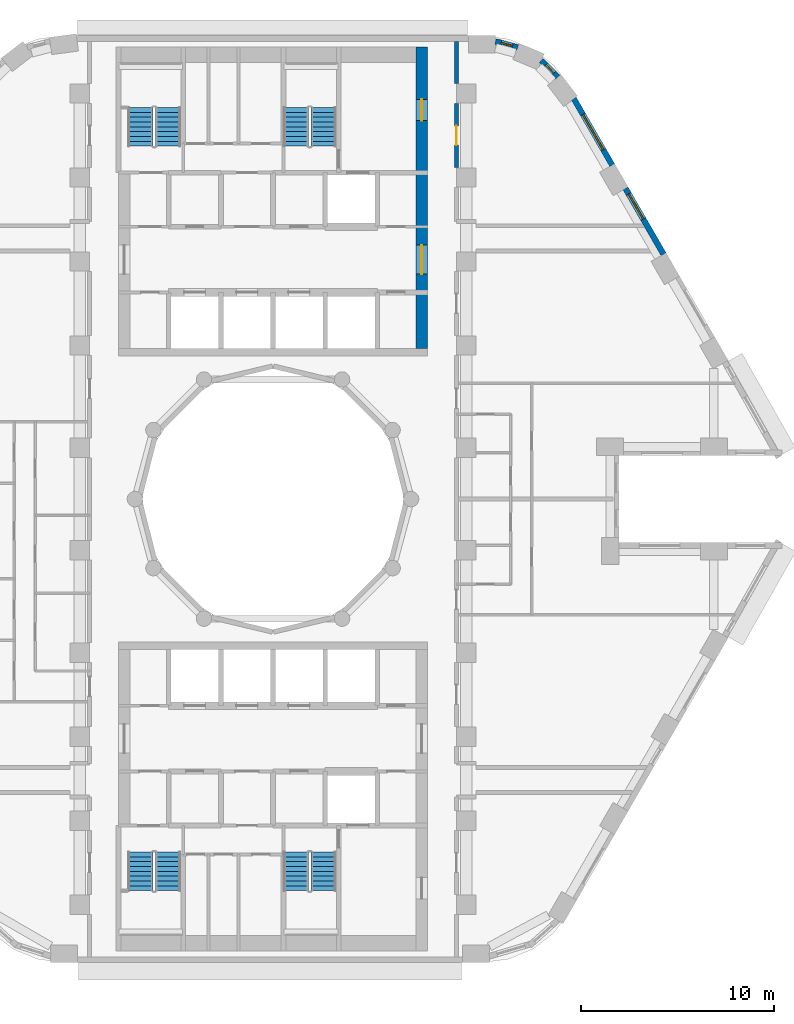
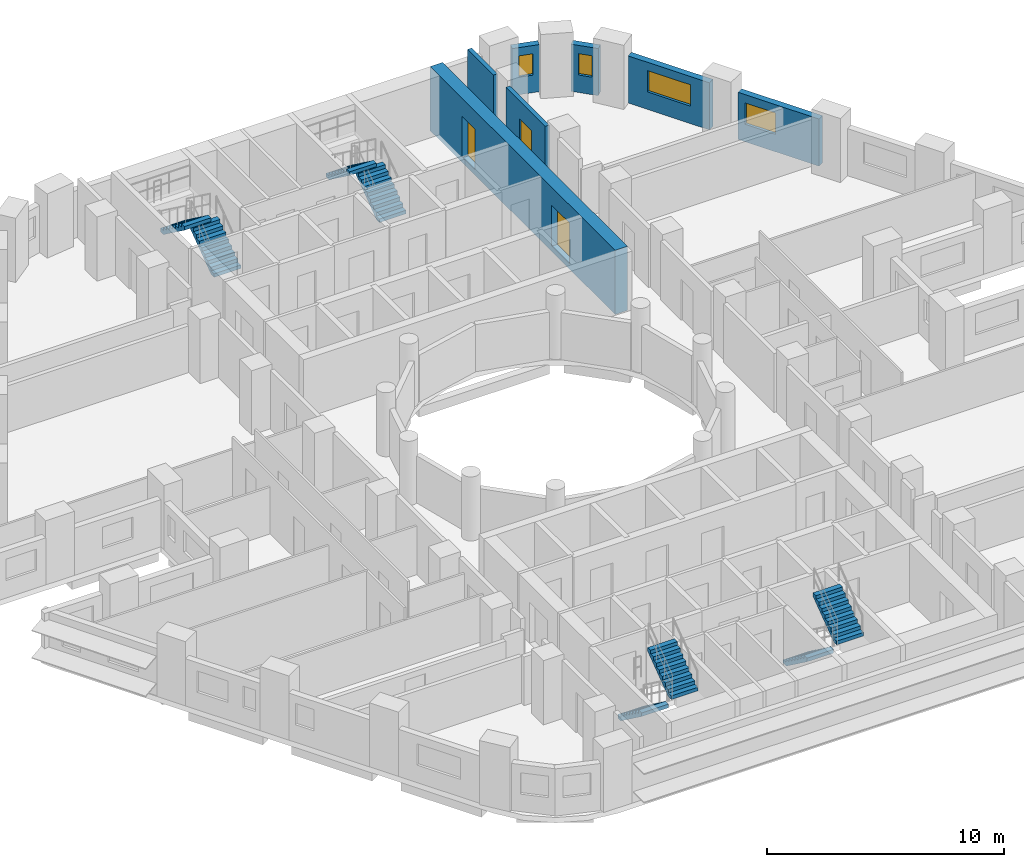
# One storey, part 9 of 12: 8 stair flights, 7 walls, 4 windows, 3 doors, 7 openings, 4 elements without a shape of their own.
"""IFC4 building model written with IfcOpenShell, lengths in metres."""

from ifc_helpers import new_model, si_unit, direction, frame, frame_2d, origin, place, context, subcontext, project, spatial, polyline, rectangle, outline, extrude, material, layer, layer_set, type_object, element, fill, aggregate, save


model = new_model("IFC4")

# Units and contexts
model_context = context("Model", 3, precision=1e-05, world=origin(), true_north=direction((0.0, 1.0)))
body_context = subcontext(model_context, "Body", "Model", "MODEL_VIEW")
ifc_project = project(units=[si_unit("LENGTHUNIT", "METRE"), si_unit("AREAUNIT", "SQUARE_METRE"), si_unit("VOLUMEUNIT", "CUBIC_METRE"), si_unit("PLANEANGLEUNIT", "RADIAN"), si_unit("MASSUNIT", "GRAM", prefix="KILO")], contexts=[model_context])

# Site, building, storey
site_placement = place(None, origin())
site = spatial("IfcSite", under=ifc_project, at=site_placement, CompositionType="ELEMENT")
building_placement = place(site_placement, origin())
building = spatial("IfcBuilding", under=site, at=building_placement, Name="Nakaniwa Court", CompositionType="ELEMENT")
storey_placement = place(building_placement, frame((0.0, 0.0, 90.89990234375)))
storey = spatial("IfcBuildingStorey", under=building, at=storey_placement, Name="L23", CompositionType="ELEMENT", Elevation=90.89990234375)

# Wall, opening, door
ifc_material_1 = material(Name="Acoustic double stud partition")
ifc_layer_1 = layer(ifc_material_1, 0.199951171875)
ifc_layer_set_1 = layer_set([ifc_layer_1], Name="Acoustic double stud partition")
wall_type_1 = type_object("IfcWallType", Name="Acoustic double stud partition 200", PredefinedType="PARTITIONING", material=ifc_layer_set_1)
wall_1_placement = place(storey_placement, frame((89.5, 100.48291015625, 0.0), z_axis=(0.0, 0.0, 1.0), x_axis=(0.0, -1.0, 0.0)))
wall_1 = element("IfcWall", 1, at=wall_1_placement, inside=storey, type_object=wall_type_1, Name="Partition PW-079", PredefinedType="PARTITIONING", context=body_context, shape_type="SweptSolid", body=[
    extrude(rectangle(XDim=3.31591796875, YDim=0.199951171875, at=frame_2d((1.657958984375, 0.0))), origin(), (0.0, 0.0, 1.0), 3.025146484375),
])
opening_1_placement = place(wall_1_placement, frame((1.157958984375, 0.0, 0.0)))
opening_1 = element("IfcOpeningElement", 2, at=opening_1_placement, cuts=wall_1, Name="Opening D-02-07", PredefinedType="OPENING", context=body_context, shape_type="SweptSolid", body=[
    extrude(rectangle(XDim=1.0, YDim=2.10009765625, at=frame_2d((0.5, 1.050048828125))), frame((0.0, 0.10986328125, 0.0), z_axis=(0.0, -1.0, 0.0), x_axis=(1.0, 0.0, 0.0)), (0.0, 0.0, 1.0), 0.219970703125),
])
ifc_material_2 = material(Name="Solid core timber door set, black veneer", Category="wood")
door_type_1 = type_object("IfcDoorType", Name="Internal door 1000", OperationType="NOTDEFINED", PredefinedType="DOOR", material=ifc_material_2)
door_1_placement = place(opening_1_placement, origin())
door_1 = element("IfcDoor", 3, at=door_1_placement, inside=storey, type_object=door_type_1, Name="Door D-02-07 L23-049", OperationType="SINGLE_SWING_RIGHT", OverallHeight=2.10009765625, OverallWidth=1.0, PredefinedType="DOOR", context=body_context, shape_type="SweptSolid", body=[
    extrude(rectangle(XDim=1.0, YDim=2.10009765625, at=frame_2d((0.5, 1.050048828125))), frame((0.0, 0.02490234375, 0.0), z_axis=(0.0, -1.0, 0.0), x_axis=(1.0, 0.0, 0.0)), (0.0, 0.0, 1.0), 0.050048828125),
])
fill(opening_1, door_1)

# Wall
wall_2_placement = place(storey_placement, frame((89.5, 101.51708984375, 0.0), z_axis=(0.0, 0.0, 1.0), x_axis=(0.0, 1.0, 0.0)))
element("IfcWall", 4, at=wall_2_placement, inside=storey, type_object=wall_type_1, Name="Partition PW-080", PredefinedType="PARTITIONING", context=body_context, shape_type="SweptSolid", body=[
    extrude(rectangle(XDim=2.182861328125, YDim=0.199951171875, at=frame_2d((1.09130859375, 0.0))), origin(), (0.0, 0.0, 1.0), 3.025146484375),
])

# Wall, opening, window
ifc_material_3 = material(Name="Charcoal ceramic cladding")
ifc_layer_2 = layer(ifc_material_3, 0.02, Name="Ceramic cladding")
ifc_material_4 = material(Name="Ventilated air cavity")
ifc_layer_3 = layer(ifc_material_4, 0.04, ventilated=True, Name="Ventilated cavity")
ifc_material_5 = material(Name="Mineral wool insulation")
ifc_layer_4 = layer(ifc_material_5, 0.1, Name="Insulation")
ifc_material_6 = material(Name="Cement bonded sheathing board")
ifc_layer_5 = layer(ifc_material_6, 0.012, Name="Sheathing")
ifc_material_7 = material(Name="Cold-formed galvanised stud frame with mineral wool infill")
ifc_layer_6 = layer(ifc_material_7, 0.1, Name="Stud frame")
ifc_material_8 = material(Name="Fire-rated gypsum plasterboard lining")
ifc_layer_7 = layer(ifc_material_8, 0.028, Name="Lining")
ifc_layer_set_2 = layer_set([ifc_layer_2, ifc_layer_3, ifc_layer_4, ifc_layer_5, ifc_layer_6, ifc_layer_7], Name="Charcoal ceramic faced external wall system")
wall_type_2 = type_object("IfcWallType", Name="Black ceramic faced external wall 300", PredefinedType="SOLIDWALL", material=ifc_layer_set_2)
wall_3_placement = place(storey_placement, frame((100.22021484375, 92.677490234375, 0.0), z_axis=(0.0, 0.0, 1.0), x_axis=(-0.499957037901, 0.866050206543, 0.0)))
wall_3 = element("IfcWall", 5, at=wall_3_placement, inside=storey, type_object=wall_type_2, Name="L23 external wall 04", PredefinedType="SOLIDWALL", context=body_context, shape_type="SweptSolid", body=[
    extrude(rectangle(XDim=3.933837890625, YDim=0.300048828125, at=frame_2d((1.966796875, 0.0))), origin(), (0.0, 0.0, 1.0), 2.425048828125),
])
opening_2_placement = place(wall_3_placement, frame((2.104248046875, 0.0, 0.89990234375)))
opening_2 = element("IfcOpeningElement", 6, at=opening_2_placement, cuts=wall_3, Name="Opening W5.06", PredefinedType="OPENING", context=body_context, shape_type="SweptSolid", body=[
    extrude(rectangle(XDim=1.5, YDim=1.10009765625, at=frame_2d((0.75, 0.550048828125))), frame((0.0, 0.159912109375, 0.0), z_axis=(0.0, -1.0, 0.0), x_axis=(1.0, 0.0, 0.0)), (0.0, 0.0, 1.0), 0.320068359375),
])
ifc_material_9 = material(Name="Black anodised aluminium frame with dark low-E laminated double glazing", Category="aluminium")
window_type_1 = type_object("IfcWindowType", Name="Dark glass window 1500x1100 sill 900", PartitioningType="SINGLE_PANEL", PredefinedType="WINDOW", material=ifc_material_9)
window_1_placement = place(opening_2_placement, origin())
window_1 = element("IfcWindow", 7, at=window_1_placement, inside=storey, type_object=window_type_1, Name="L23 habitable room window 04-2", OverallHeight=1.10009765625, OverallWidth=1.5, PartitioningType="SINGLE_PANEL", PredefinedType="WINDOW", context=body_context, shape_type="SweptSolid", body=[
    extrude(rectangle(XDim=1.5, YDim=1.10009765625, at=frame_2d((0.75, 0.550048828125))), frame((0.0, 0.030029296875, 0.0), z_axis=(0.0, -1.0, 0.0), x_axis=(1.0, 0.0, 0.0)), (0.0, 0.0, 1.0), 0.06005859375),
])
fill(opening_2, window_1)

wall_4_placement = place(storey_placement, frame((97.557373046875, 97.289794921875, 0.0), z_axis=(0.0, 0.0, 1.0), x_axis=(-0.500043828347, 0.866000097998, 0.0)))
wall_4 = element("IfcWall", 8, at=wall_4_placement, inside=storey, type_object=wall_type_2, Name="L23 external wall 05", PredefinedType="SOLIDWALL", context=body_context, shape_type="SweptSolid", body=[
    extrude(rectangle(XDim=3.967529296875, YDim=0.300048828125, at=frame_2d((1.98388671875, 0.0))), origin(), (0.0, 0.0, 1.0), 2.425048828125),
])
opening_3_placement = place(wall_4_placement, frame((0.92236328125, 0.0, 0.89990234375)))
opening_3 = element("IfcOpeningElement", 9, at=opening_3_placement, cuts=wall_4, Name="Opening W7.07", PredefinedType="OPENING", context=body_context, shape_type="SweptSolid", body=[
    extrude(rectangle(XDim=2.10009765625, YDim=1.10009765625, at=frame_2d((1.050048828125, 0.550048828125))), frame((0.0, 0.159912109375, 0.0), z_axis=(0.0, -1.0, 0.0), x_axis=(1.0, 0.0, 0.0)), (0.0, 0.0, 1.0), 0.320068359375),
])
window_type_2 = type_object("IfcWindowType", Name="Dark glass window 2100x1100 sill 900", PartitioningType="SINGLE_PANEL", PredefinedType="WINDOW", material=ifc_material_9)
window_2_placement = place(opening_3_placement, origin())
window_2 = element("IfcWindow", 10, at=window_2_placement, inside=storey, type_object=window_type_2, Name="L23 habitable room window 05-0", OverallHeight=1.10009765625, OverallWidth=2.10009765625, PartitioningType="SINGLE_PANEL", PredefinedType="WINDOW", context=body_context, shape_type="SweptSolid", body=[
    extrude(rectangle(XDim=2.10009765625, YDim=1.10009765625, at=frame_2d((1.050048828125, 0.550048828125))), frame((0.0, 0.030029296875, 0.0), z_axis=(0.0, -1.0, 0.0), x_axis=(1.0, 0.0, 0.0)), (0.0, 0.0, 1.0), 0.06005859375),
])
fill(opening_3, window_2)

wall_5_placement = place(storey_placement, frame((94.738037109375, 101.839111328125, 0.0), z_axis=(0.0, 0.0, 1.0), x_axis=(-0.697032216592, 0.717039809936, 0.0)))
wall_5 = element("IfcWall", 11, at=wall_5_placement, inside=storey, type_object=wall_type_2, Name="L23 external wall 06", PredefinedType="SOLIDWALL", context=body_context, shape_type="SweptSolid", body=[
    extrude(rectangle(XDim=1.2080078125, YDim=0.300048828125, at=frame_2d((0.60400390625, 0.0))), origin(), (0.0, 0.0, 1.0), 2.425048828125),
])
opening_4_placement = place(wall_5_placement, frame((0.279296875, 0.0, 0.89990234375)))
opening_4 = element("IfcOpeningElement", 12, at=opening_4_placement, cuts=wall_5, Name="Opening W8.08", PredefinedType="OPENING", context=body_context, shape_type="SweptSolid", body=[
    extrude(rectangle(XDim=0.60009765625, YDim=1.10009765625, at=frame_2d((0.300048828125, 0.550048828125))), frame((0.0, 0.159912109375, 0.0), z_axis=(0.0, -1.0, 0.0), x_axis=(1.0, 0.0, 0.0)), (0.0, 0.0, 1.0), 0.320068359375),
])
window_type_3 = type_object("IfcWindowType", Name="Dark glass window 600x1100 sill 900", PartitioningType="SINGLE_PANEL", PredefinedType="WINDOW", material=ifc_material_9)
window_3_placement = place(opening_4_placement, origin())
window_3 = element("IfcWindow", 13, at=window_3_placement, inside=storey, type_object=window_type_3, Name="L23 habitable room window 06-0", OverallHeight=1.10009765625, OverallWidth=0.60009765625, PartitioningType="SINGLE_PANEL", PredefinedType="WINDOW", context=body_context, shape_type="SweptSolid", body=[
    extrude(rectangle(XDim=0.60009765625, YDim=1.10009765625, at=frame_2d((0.300048828125, 0.550048828125))), frame((0.0, 0.030029296875, 0.0), z_axis=(0.0, -1.0, 0.0), x_axis=(1.0, 0.0, 0.0)), (0.0, 0.0, 1.0), 0.06005859375),
])
fill(opening_4, window_3)

wall_6_placement = place(storey_placement, frame((92.669189453125, 103.3818359375, 0.0), z_axis=(0.0, 0.0, 1.0), x_axis=(-0.965278131029, 0.261224290136, 0.0)))
wall_6 = element("IfcWall", 14, at=wall_6_placement, inside=storey, type_object=wall_type_2, Name="L23 external wall 07", PredefinedType="SOLIDWALL", context=body_context, shape_type="SweptSolid", body=[
    extrude(rectangle(XDim=1.189697265625, YDim=0.300048828125, at=frame_2d((0.5947265625, 0.0))), origin(), (0.0, 0.0, 1.0), 2.425048828125),
])
opening_5_placement = place(wall_6_placement, frame((0.28466796875, 0.0, 0.89990234375)))
opening_5 = element("IfcOpeningElement", 15, at=opening_5_placement, cuts=wall_6, Name="Opening W8.09", PredefinedType="OPENING", context=body_context, shape_type="SweptSolid", body=[
    extrude(rectangle(XDim=0.60009765625, YDim=1.10009765625, at=frame_2d((0.300048828125, 0.550048828125))), frame((0.0, 0.159912109375, 0.0), z_axis=(0.0, -1.0, 0.0), x_axis=(1.0, 0.0, 0.0)), (0.0, 0.0, 1.0), 0.320068359375),
])
window_4_placement = place(opening_5_placement, origin())
window_4 = element("IfcWindow", 16, at=window_4_placement, inside=storey, type_object=window_type_3, Name="L23 habitable room window 07-0", OverallHeight=1.10009765625, OverallWidth=0.60009765625, PartitioningType="SINGLE_PANEL", PredefinedType="WINDOW", context=body_context, shape_type="SweptSolid", body=[
    extrude(rectangle(XDim=0.60009765625, YDim=1.10009765625, at=frame_2d((0.300048828125, 0.550048828125))), frame((0.0, 0.030029296875, 0.0), z_axis=(0.0, -1.0, 0.0), x_axis=(1.0, 0.0, 0.0)), (0.0, 0.0, 1.0), 0.06005859375),
])
fill(opening_5, window_4)

# Wall, openings, doors
ifc_material_10 = material(Name="Concrete C80/100", Category="concrete")
ifc_layer_8 = layer(ifc_material_10, 0.60009765625)
ifc_layer_set_3 = layer_set([ifc_layer_8], Name="Concrete C80/100")
wall_type_3 = type_object("IfcWallType", Name="Concrete core side wall 600 C80", PredefinedType="SHEAR", material=ifc_layer_set_3)
wall_7_placement = place(storey_placement, frame((87.699951171875, 103.39990234375, -0.27490234375), z_axis=(0.0, 0.0, 1.0), x_axis=(0.0, -1.0, 0.0)))
wall_7 = element("IfcWall", 17, at=wall_7_placement, inside=storey, type_object=wall_type_3, Name="Core wall SW-15", PredefinedType="SHEAR", context=body_context, shape_type="SweptSolid", body=[
    extrude(rectangle(XDim=15.599853515625, YDim=0.60009765625, at=frame_2d((7.7998046875, 0.0))), origin(), (0.0, 0.0, 1.0), 3.300048828125),
])
opening_6_placement = place(wall_7_placement, frame((10.25, 0.0, 0.27490234375)))
opening_6 = element("IfcOpeningElement", 18, at=opening_6_placement, cuts=wall_7, Name="Opening D-07-01", PredefinedType="OPENING", context=body_context, shape_type="SweptSolid", body=[
    extrude(rectangle(XDim=1.5, YDim=2.10009765625, at=frame_2d((0.75, 1.050048828125))), frame((0.0, 0.31005859375, 0.0), z_axis=(0.0, -1.0, 0.0), x_axis=(1.0, 0.0, 0.0)), (0.0, 0.0, 1.0), 0.6201171875),
])
opening_7_placement = place(wall_7_placement, frame((2.699951171875, 0.0, 0.27490234375)))
opening_7 = element("IfcOpeningElement", 19, at=opening_7_placement, cuts=wall_7, Name="Opening D-10-01", PredefinedType="OPENING", context=body_context, shape_type="SweptSolid", body=[
    extrude(rectangle(XDim=1.10009765625, YDim=2.10009765625, at=frame_2d((0.550048828125, 1.050048828125))), frame((0.0, 0.31005859375, 0.0), z_axis=(0.0, -1.0, 0.0), x_axis=(1.0, 0.0, 0.0)), (0.0, 0.0, 1.0), 0.6201171875),
])
ifc_material_11 = material(Name="Fire rated steel door set", Category="steel")
door_type_2 = type_object("IfcDoorType", Name="Firefighting lobby door 1100", OperationType="NOTDEFINED", PredefinedType="DOOR", material=ifc_material_11)
door_2_placement = place(opening_7_placement, origin())
door_2 = element("IfcDoor", 20, at=door_2_placement, inside=storey, type_object=door_type_2, Name="Door D-10-01 L23-053", OperationType="SINGLE_SWING_RIGHT", OverallHeight=2.10009765625, OverallWidth=1.10009765625, PredefinedType="DOOR", context=body_context, shape_type="SweptSolid", body=[
    extrude(rectangle(XDim=1.10009765625, YDim=2.10009765625, at=frame_2d((0.550048828125, 1.050048828125))), frame((0.0, 0.02490234375, 0.0), z_axis=(0.0, -1.0, 0.0), x_axis=(1.0, 0.0, 0.0)), (0.0, 0.0, 1.0), 0.050048828125),
])
fill(opening_7, door_2)
ifc_material_12 = material(Name="Glazed fire rated steel double door set", Category="steel")
door_type_3 = type_object("IfcDoorType", Name="Lobby double door 1500", OperationType="NOTDEFINED", PredefinedType="DOOR", material=ifc_material_12)
door_3_placement = place(opening_6_placement, origin())
door_3 = element("IfcDoor", 21, at=door_3_placement, inside=storey, type_object=door_type_3, Name="Door D-07-01 L23-051", OperationType="DOUBLE_DOOR_SINGLE_SWING", OverallHeight=2.10009765625, OverallWidth=1.5, PredefinedType="DOOR", context=body_context, shape_type="SweptSolid", body=[
    extrude(rectangle(XDim=1.5, YDim=2.10009765625, at=frame_2d((0.75, 1.050048828125))), frame((0.0, 0.02490234375, 0.0), z_axis=(0.0, -1.0, 0.0), x_axis=(1.0, 0.0, 0.0)), (0.0, 0.0, 1.0), 0.050048828125),
])
fill(opening_6, door_3)

# Stair, stair flights
stair_type = type_object("IfcStairType", Name="Dog leg stair 1300 wide 18 risers", PredefinedType="HALF_TURN_STAIR", material=ifc_material_10)
stair_1_placement = place(storey_placement, origin())
stair_1 = element("IfcStair", 22, at=stair_1_placement, inside=storey, type_object=stair_type, Name="L23 Stair ST1", PredefinedType="HALF_TURN_STAIR")
stair_flight_type = type_object("IfcStairFlightType", Name="Stair flight 1300 wide 9 risers", PredefinedType="STRAIGHT", material=ifc_material_10)
stair_flight_1_placement = place(storey_placement, frame((74.574951171875, 98.27490234375, 0.0), z_axis=(0.0, 0.0, 1.0), x_axis=(0.0, 1.0, 0.0)))
stair_flight_1 = element("IfcStairFlight", 23, at=stair_flight_1_placement, type_object=stair_flight_type, Name="ST1 flight 1", NumberOfRisers=9, NumberOfTreads=8, PredefinedType="STRAIGHT", RiserHeight=0.183333333, TreadLength=0.25, context=body_context, shape_type="SweptSolid", body=[
    extrude(outline(polyline([(0.0, 0.0), (0.0, 0.026123046875), (0.0, 0.052490234375), (0.0, 0.07861328125), (0.0, 0.104736328125), (0.0, 0.130859375), (0.0, 0.1572265625), (0.0, 0.183349609375), (0.25, 0.183349609375), (0.25, 0.36669921875), (0.5, 0.36669921875), (0.5, 0.550048828125), (0.75, 0.550048828125), (0.75, 0.7333984375), (1.0, 0.7333984375), (1.0, 0.916748046875), (1.25, 0.916748046875), (1.25, 1.10009765625), (1.5, 1.10009765625), (1.5, 1.283447265625), (1.75, 1.283447265625), (1.75, 1.466552734375), (2.0, 1.466552734375), (2.0, 1.64990234375), (2.0, 1.59716796875), (2.0, 1.54443359375), (2.0, 1.49169921875), (2.0, 1.43896484375), (2.0, 1.38623046875), (2.0, 1.33349609375), (2.0, 1.28076171875), (0.25341796875, 0.0), (0.0, 0.0)])), frame((0.0, 0.64990234375, 0.0), z_axis=(0.0, -1.0, 0.0), x_axis=(1.0, 0.0, 0.0)), (0.0, 0.0, 1.0), 1.300048828125),
])
stair_flight_2_placement = place(storey_placement, frame((73.125, 100.27490234375, 1.650146484375), z_axis=(0.0, 0.0, 1.0), x_axis=(0.0, -1.0, 0.0)))
stair_flight_2 = element("IfcStairFlight", 24, at=stair_flight_2_placement, type_object=stair_flight_type, Name="ST1 flight 2", NumberOfRisers=9, NumberOfTreads=8, PredefinedType="STRAIGHT", RiserHeight=0.183333333, TreadLength=0.25, context=body_context, shape_type="SweptSolid", body=[
    extrude(outline(polyline([(0.0, 0.0), (0.0, 0.026123046875), (0.0, 0.052490234375), (0.0, 0.07861328125), (0.0, 0.104736328125), (0.0, 0.130859375), (0.0, 0.1572265625), (0.0, 0.183349609375), (0.25, 0.183349609375), (0.25, 0.36669921875), (0.5, 0.36669921875), (0.5, 0.550048828125), (0.75, 0.550048828125), (0.75, 0.7333984375), (1.0, 0.7333984375), (1.0, 0.916748046875), (1.25, 0.916748046875), (1.25, 1.10009765625), (1.5, 1.10009765625), (1.5, 1.283447265625), (1.75, 1.283447265625), (1.75, 1.466552734375), (2.0, 1.466552734375), (2.0, 1.64990234375), (2.0, 1.59716796875), (2.0, 1.54443359375), (2.0, 1.49169921875), (2.0, 1.43896484375), (2.0, 1.38623046875), (2.0, 1.33349609375), (2.0, 1.28076171875), (0.25341796875, 0.0), (0.0, 0.0)])), frame((0.0, 0.64990234375, 0.0), z_axis=(0.0, -1.0, 0.0), x_axis=(1.0, 0.0, 0.0)), (0.0, 0.0, 1.0), 1.300048828125),
])
aggregate(stair_1, [stair_flight_1, stair_flight_2])

stair_2_placement = place(storey_placement, origin())
stair_2 = element("IfcStair", 25, at=stair_2_placement, inside=storey, type_object=stair_type, Name="L23 Stair ST2", PredefinedType="HALF_TURN_STAIR")
stair_flight_3_placement = place(storey_placement, frame((82.625, 98.27490234375, 0.0), z_axis=(0.0, 0.0, 1.0), x_axis=(0.0, 1.0, 0.0)))
stair_flight_3 = element("IfcStairFlight", 26, at=stair_flight_3_placement, type_object=stair_flight_type, Name="ST2 flight 1", NumberOfRisers=9, NumberOfTreads=8, PredefinedType="STRAIGHT", RiserHeight=0.183333333, TreadLength=0.25, context=body_context, shape_type="SweptSolid", body=[
    extrude(outline(polyline([(0.0, 0.0), (0.0, 0.026123046875), (0.0, 0.052490234375), (0.0, 0.07861328125), (0.0, 0.104736328125), (0.0, 0.130859375), (0.0, 0.1572265625), (0.0, 0.183349609375), (0.25, 0.183349609375), (0.25, 0.36669921875), (0.5, 0.36669921875), (0.5, 0.550048828125), (0.75, 0.550048828125), (0.75, 0.7333984375), (1.0, 0.7333984375), (1.0, 0.916748046875), (1.25, 0.916748046875), (1.25, 1.10009765625), (1.5, 1.10009765625), (1.5, 1.283447265625), (1.75, 1.283447265625), (1.75, 1.466552734375), (2.0, 1.466552734375), (2.0, 1.64990234375), (2.0, 1.59716796875), (2.0, 1.54443359375), (2.0, 1.49169921875), (2.0, 1.43896484375), (2.0, 1.38623046875), (2.0, 1.33349609375), (2.0, 1.28076171875), (0.25341796875, 0.0), (0.0, 0.0)])), frame((0.0, 0.64990234375, 0.0), z_axis=(0.0, -1.0, 0.0), x_axis=(1.0, 0.0, 0.0)), (0.0, 0.0, 1.0), 1.300048828125),
])
stair_flight_4_placement = place(storey_placement, frame((81.175048828125, 100.27490234375, 1.650146484375), z_axis=(0.0, 0.0, 1.0), x_axis=(0.0, -1.0, 0.0)))
stair_flight_4 = element("IfcStairFlight", 27, at=stair_flight_4_placement, type_object=stair_flight_type, Name="ST2 flight 2", NumberOfRisers=9, NumberOfTreads=8, PredefinedType="STRAIGHT", RiserHeight=0.183333333, TreadLength=0.25, context=body_context, shape_type="SweptSolid", body=[
    extrude(outline(polyline([(0.0, 0.0), (0.0, 0.026123046875), (0.0, 0.052490234375), (0.0, 0.07861328125), (0.0, 0.104736328125), (0.0, 0.130859375), (0.0, 0.1572265625), (0.0, 0.183349609375), (0.25, 0.183349609375), (0.25, 0.36669921875), (0.5, 0.36669921875), (0.5, 0.550048828125), (0.75, 0.550048828125), (0.75, 0.7333984375), (1.0, 0.7333984375), (1.0, 0.916748046875), (1.25, 0.916748046875), (1.25, 1.10009765625), (1.5, 1.10009765625), (1.5, 1.283447265625), (1.75, 1.283447265625), (1.75, 1.466552734375), (2.0, 1.466552734375), (2.0, 1.64990234375), (2.0, 1.59716796875), (2.0, 1.54443359375), (2.0, 1.49169921875), (2.0, 1.43896484375), (2.0, 1.38623046875), (2.0, 1.33349609375), (2.0, 1.28076171875), (0.25341796875, 0.0), (0.0, 0.0)])), frame((0.0, 0.64990234375, 0.0), z_axis=(0.0, -1.0, 0.0), x_axis=(1.0, 0.0, 0.0)), (0.0, 0.0, 1.0), 1.300048828125),
])
aggregate(stair_2, [stair_flight_3, stair_flight_4])

stair_3_placement = place(storey_placement, origin())
stair_3 = element("IfcStair", 28, at=stair_3_placement, inside=storey, type_object=stair_type, Name="L23 Stair ST3", PredefinedType="HALF_TURN_STAIR")
stair_flight_5_placement = place(storey_placement, frame((73.125, 61.72509765625, 0.0), z_axis=(0.0, 0.0, 1.0), x_axis=(0.0, -1.0, 0.0)))
stair_flight_5 = element("IfcStairFlight", 29, at=stair_flight_5_placement, type_object=stair_flight_type, Name="ST3 flight 1", NumberOfRisers=9, NumberOfTreads=8, PredefinedType="STRAIGHT", RiserHeight=0.183333333, TreadLength=0.25, context=body_context, shape_type="SweptSolid", body=[
    extrude(outline(polyline([(0.0, 0.0), (0.0, 0.026123046875), (0.0, 0.052490234375), (0.0, 0.07861328125), (0.0, 0.104736328125), (0.0, 0.130859375), (0.0, 0.1572265625), (0.0, 0.183349609375), (0.25, 0.183349609375), (0.25, 0.36669921875), (0.5, 0.36669921875), (0.5, 0.550048828125), (0.75, 0.550048828125), (0.75, 0.7333984375), (1.0, 0.7333984375), (1.0, 0.916748046875), (1.25, 0.916748046875), (1.25, 1.10009765625), (1.5, 1.10009765625), (1.5, 1.283447265625), (1.75, 1.283447265625), (1.75, 1.466552734375), (2.0, 1.466552734375), (2.0, 1.64990234375), (2.0, 1.59716796875), (2.0, 1.54443359375), (2.0, 1.49169921875), (2.0, 1.43896484375), (2.0, 1.38623046875), (2.0, 1.33349609375), (2.0, 1.28076171875), (0.25341796875, 0.0), (0.0, 0.0)])), frame((0.0, 0.64990234375, 0.0), z_axis=(0.0, -1.0, 0.0), x_axis=(1.0, 0.0, 0.0)), (0.0, 0.0, 1.0), 1.300048828125),
])
stair_flight_6_placement = place(storey_placement, frame((74.574951171875, 59.72509765625, 1.650146484375), z_axis=(0.0, 0.0, 1.0), x_axis=(0.0, 1.0, 0.0)))
stair_flight_6 = element("IfcStairFlight", 30, at=stair_flight_6_placement, type_object=stair_flight_type, Name="ST3 flight 2", NumberOfRisers=9, NumberOfTreads=8, PredefinedType="STRAIGHT", RiserHeight=0.183333333, TreadLength=0.25, context=body_context, shape_type="SweptSolid", body=[
    extrude(outline(polyline([(0.0, 0.0), (0.0, 0.026123046875), (0.0, 0.052490234375), (0.0, 0.07861328125), (0.0, 0.104736328125), (0.0, 0.130859375), (0.0, 0.1572265625), (0.0, 0.183349609375), (0.25, 0.183349609375), (0.25, 0.36669921875), (0.5, 0.36669921875), (0.5, 0.550048828125), (0.75, 0.550048828125), (0.75, 0.7333984375), (1.0, 0.7333984375), (1.0, 0.916748046875), (1.25, 0.916748046875), (1.25, 1.10009765625), (1.5, 1.10009765625), (1.5, 1.283447265625), (1.75, 1.283447265625), (1.75, 1.466552734375), (2.0, 1.466552734375), (2.0, 1.64990234375), (2.0, 1.59716796875), (2.0, 1.54443359375), (2.0, 1.49169921875), (2.0, 1.43896484375), (2.0, 1.38623046875), (2.0, 1.33349609375), (2.0, 1.28076171875), (0.25341796875, 0.0), (0.0, 0.0)])), frame((0.0, 0.64990234375, 0.0), z_axis=(0.0, -1.0, 0.0), x_axis=(1.0, 0.0, 0.0)), (0.0, 0.0, 1.0), 1.300048828125),
])
aggregate(stair_3, [stair_flight_5, stair_flight_6])

stair_4_placement = place(storey_placement, origin())
stair_4 = element("IfcStair", 31, at=stair_4_placement, inside=storey, type_object=stair_type, Name="L23 Stair ST4", PredefinedType="HALF_TURN_STAIR")
stair_flight_7_placement = place(storey_placement, frame((81.175048828125, 61.72509765625, 0.0), z_axis=(0.0, 0.0, 1.0), x_axis=(0.0, -1.0, 0.0)))
stair_flight_7 = element("IfcStairFlight", 32, at=stair_flight_7_placement, type_object=stair_flight_type, Name="ST4 flight 1", NumberOfRisers=9, NumberOfTreads=8, PredefinedType="STRAIGHT", RiserHeight=0.183333333, TreadLength=0.25, context=body_context, shape_type="SweptSolid", body=[
    extrude(outline(polyline([(0.0, 0.0), (0.0, 0.026123046875), (0.0, 0.052490234375), (0.0, 0.07861328125), (0.0, 0.104736328125), (0.0, 0.130859375), (0.0, 0.1572265625), (0.0, 0.183349609375), (0.25, 0.183349609375), (0.25, 0.36669921875), (0.5, 0.36669921875), (0.5, 0.550048828125), (0.75, 0.550048828125), (0.75, 0.7333984375), (1.0, 0.7333984375), (1.0, 0.916748046875), (1.25, 0.916748046875), (1.25, 1.10009765625), (1.5, 1.10009765625), (1.5, 1.283447265625), (1.75, 1.283447265625), (1.75, 1.466552734375), (2.0, 1.466552734375), (2.0, 1.64990234375), (2.0, 1.59716796875), (2.0, 1.54443359375), (2.0, 1.49169921875), (2.0, 1.43896484375), (2.0, 1.38623046875), (2.0, 1.33349609375), (2.0, 1.28076171875), (0.25341796875, 0.0), (0.0, 0.0)])), frame((0.0, 0.64990234375, 0.0), z_axis=(0.0, -1.0, 0.0), x_axis=(1.0, 0.0, 0.0)), (0.0, 0.0, 1.0), 1.300048828125),
])
stair_flight_8_placement = place(storey_placement, frame((82.625, 59.72509765625, 1.650146484375), z_axis=(0.0, 0.0, 1.0), x_axis=(0.0, 1.0, 0.0)))
stair_flight_8 = element("IfcStairFlight", 33, at=stair_flight_8_placement, type_object=stair_flight_type, Name="ST4 flight 2", NumberOfRisers=9, NumberOfTreads=8, PredefinedType="STRAIGHT", RiserHeight=0.183333333, TreadLength=0.25, context=body_context, shape_type="SweptSolid", body=[
    extrude(outline(polyline([(0.0, 0.0), (0.0, 0.026123046875), (0.0, 0.052490234375), (0.0, 0.07861328125), (0.0, 0.104736328125), (0.0, 0.130859375), (0.0, 0.1572265625), (0.0, 0.183349609375), (0.25, 0.183349609375), (0.25, 0.36669921875), (0.5, 0.36669921875), (0.5, 0.550048828125), (0.75, 0.550048828125), (0.75, 0.7333984375), (1.0, 0.7333984375), (1.0, 0.916748046875), (1.25, 0.916748046875), (1.25, 1.10009765625), (1.5, 1.10009765625), (1.5, 1.283447265625), (1.75, 1.283447265625), (1.75, 1.466552734375), (2.0, 1.466552734375), (2.0, 1.64990234375), (2.0, 1.59716796875), (2.0, 1.54443359375), (2.0, 1.49169921875), (2.0, 1.43896484375), (2.0, 1.38623046875), (2.0, 1.33349609375), (2.0, 1.28076171875), (0.25341796875, 0.0), (0.0, 0.0)])), frame((0.0, 0.64990234375, 0.0), z_axis=(0.0, -1.0, 0.0), x_axis=(1.0, 0.0, 0.0)), (0.0, 0.0, 1.0), 1.300048828125),
])
aggregate(stair_4, [stair_flight_7, stair_flight_8])

save(model, "model.ifc")
